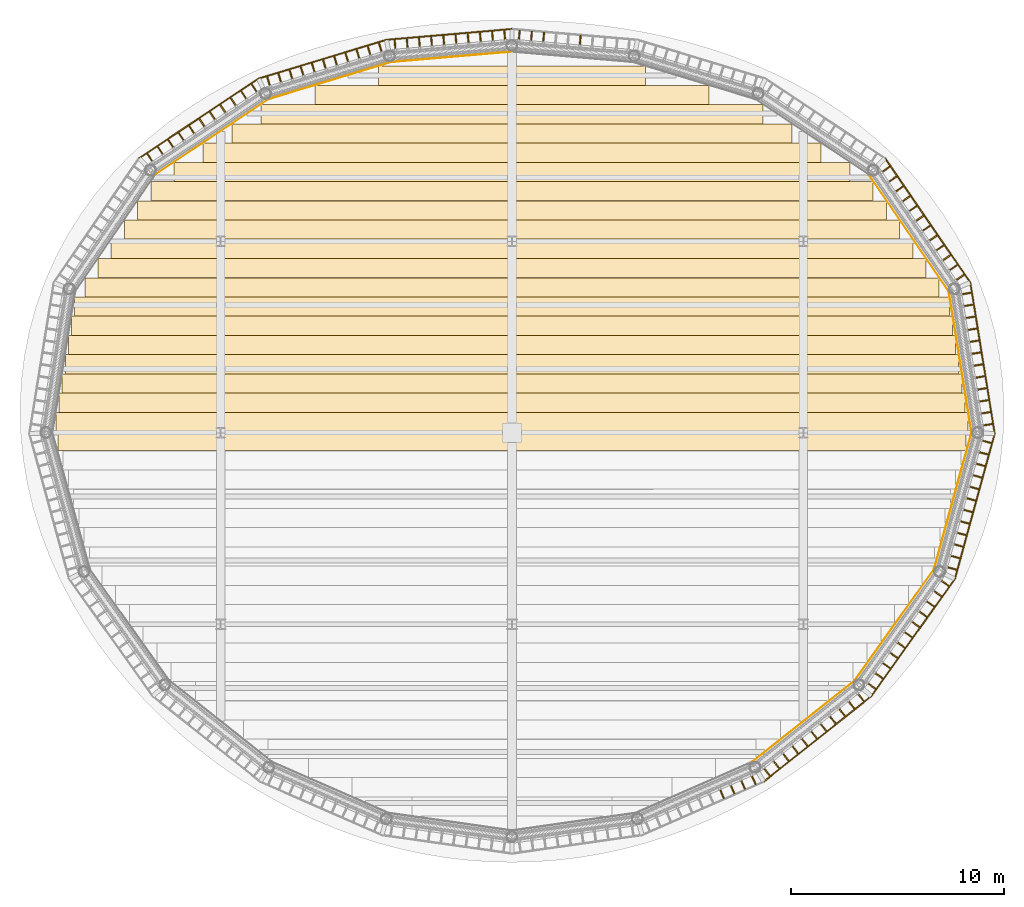
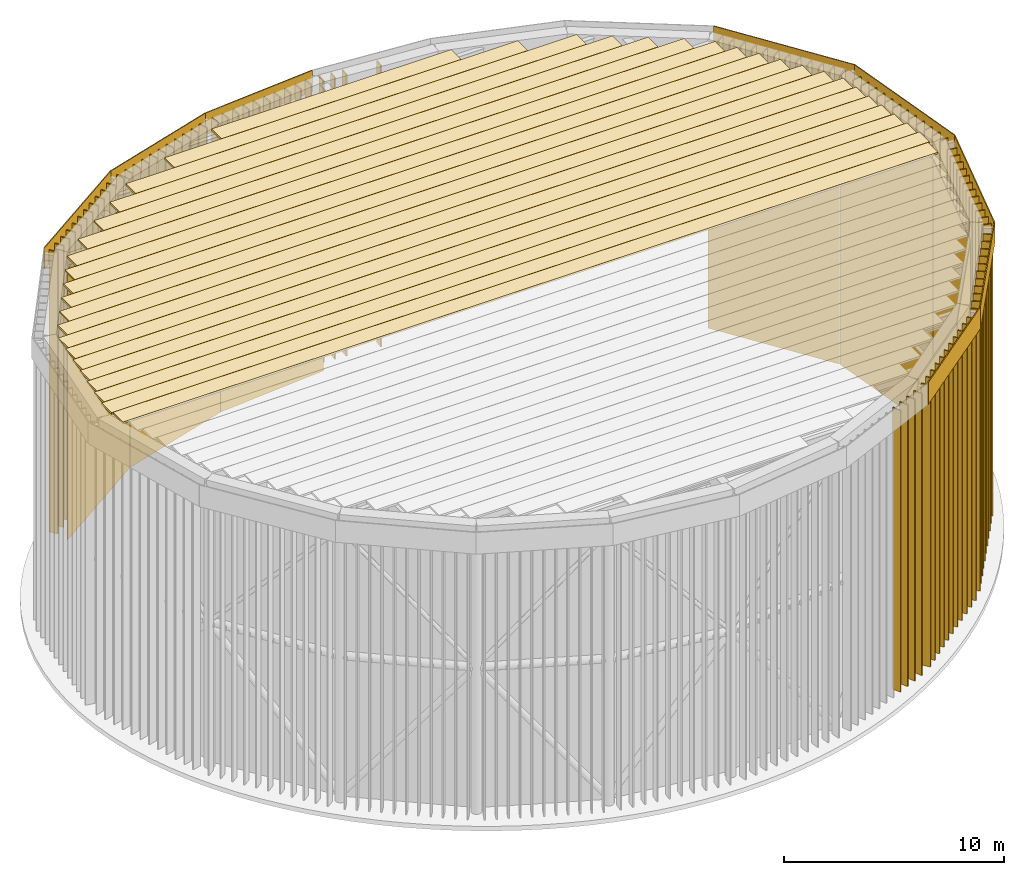
# One storey, part 10 of 11: 98 shading devices, 36 coverings.
"""IFC4 building model written with IfcOpenShell, lengths in metres."""

from ifc_helpers import new_model, si_unit, direction, frame, origin, origin_2d, place, context, subcontext, project, spatial, rectangle, extrude, material, layer, layer_set, type_object, element, save


model = new_model("IFC4")

# Units and contexts
model_context = context("Model", 3, precision=1e-05, world=origin(), true_north=direction((0.0, 1.0)))
body_context = subcontext(model_context, "Body", "Model", "MODEL_VIEW")
ifc_project = project(units=[si_unit("LENGTHUNIT", "METRE"), si_unit("AREAUNIT", "SQUARE_METRE"), si_unit("VOLUMEUNIT", "CUBIC_METRE"), si_unit("PLANEANGLEUNIT", "RADIAN"), si_unit("MASSUNIT", "GRAM", prefix="KILO")], contexts=[model_context])

# Site, building, storey
site_placement = place(None, origin())
site = spatial("IfcSite", under=ifc_project, at=site_placement, CompositionType="ELEMENT")
building_placement = place(site_placement, origin())
building = spatial("IfcBuilding", under=site, at=building_placement, Name="Marramba Exchange Tower", CompositionType="ELEMENT")
storey_placement = place(building_placement, frame((0.0, 0.0, 282.0)))
storey = spatial("IfcBuildingStorey", under=building, at=storey_placement, Name="Roof crown", CompositionType="ELEMENT", Elevation=282.0)

# Shading devices
ifc_material_1 = material(Name="Aluminium fin, bronze anodised", Category="aluminium")
ifc_layer_1 = layer(ifc_material_1, 0.06005859375)
ifc_layer_set_1 = layer_set([ifc_layer_1], Name="CROWN SCREEN FIN 450x60")
shading_device_type = type_object("IfcShadingDeviceType", Name="CROWN SCREEN FIN 450x60", PredefinedType="USERDEFINED", material=ifc_layer_set_1)
for number, where, z_axis, x_axis, name in (
    (1, (22.370361328125, 0.3798828125, 0.0), (0.0, 0.0, 1.0), (0.987215031022, 0.159394110696, 0.0), "Crown screen fin CS1 bay 01 fin 01"),
    (2, (22.280029296875, 0.940673828125, 0.0), (0.0, 0.0, 1.0), (0.987215031022, 0.159394110696, 0.0), "Crown screen fin CS1 bay 01 fin 02"),
    (3, (22.189453125, 1.50146484375, 0.0), (0.0, 0.0, 1.0), (0.987215031022, 0.159394110696, 0.0), "Crown screen fin CS1 bay 01 fin 03"),
    (4, (22.098876953125, 2.062255859375, 0.0), (0.0, 0.0, 1.0), (0.987215031022, 0.159394110696, 0.0), "Crown screen fin CS1 bay 01 fin 04"),
    (5, (22.00830078125, 2.623046875, 0.0), (0.0, 0.0, 1.0), (0.987215031022, 0.159394110696, 0.0), "Crown screen fin CS1 bay 01 fin 05"),
    (6, (21.917724609375, 3.183837890625, 0.0), (0.0, 0.0, 1.0), (0.987215031022, 0.159394110696, 0.0), "Crown screen fin CS1 bay 01 fin 06"),
    (7, (21.8271484375, 3.74462890625, 0.0), (0.0, 0.0, 1.0), (0.987215031022, 0.159394110696, 0.0), "Crown screen fin CS1 bay 01 fin 07"),
    (8, (21.736572265625, 4.305419921875, 0.0), (0.0, 0.0, 1.0), (0.987215031022, 0.159394110696, 0.0), "Crown screen fin CS1 bay 01 fin 08"),
    (9, (21.64599609375, 4.8662109375, 0.0), (0.0, 0.0, 1.0), (0.987215031022, 0.159394110696, 0.0), "Crown screen fin CS1 bay 01 fin 09"),
    (10, (21.5556640625, 5.427001953125, 0.0), (0.0, 0.0, 1.0), (0.987215031022, 0.159394110696, 0.0), "Crown screen fin CS1 bay 01 fin 10"),
    (11, (21.465087890625, 5.98779296875, 0.0), (0.0, 0.0, 1.0), (0.987215031022, 0.159394110696, 0.0), "Crown screen fin CS1 bay 01 fin 11"),
    (12, (21.37451171875, 6.548583984375, 0.0), (0.0, 0.0, 1.0), (0.987215031022, 0.159394110696, 0.0), "Crown screen fin CS1 bay 01 fin 12"),
    (13, (21.072021484375, 7.30517578125, 0.0), (0.0, 0.0, 1.0), (0.824970030492, 0.565176475793, 0.0), "Crown screen fin CS1 bay 02 fin 01"),
    (14, (20.755126953125, 7.767578125, 0.0), (0.0, 0.0, 1.0), (0.824970030492, 0.565176475793, 0.0), "Crown screen fin CS1 bay 02 fin 02"),
    (15, (20.4384765625, 8.229736328125, 0.0), (0.0, 0.0, 1.0), (0.824970030492, 0.565176475793, 0.0), "Crown screen fin CS1 bay 02 fin 03"),
    (16, (20.121826171875, 8.692138671875, 0.0), (0.0, 0.0, 1.0), (0.824970030492, 0.565176475793, 0.0), "Crown screen fin CS1 bay 02 fin 04"),
    (17, (19.80517578125, 9.154296875, 0.0), (0.0, 0.0, 1.0), (0.824970030492, 0.565176475793, 0.0), "Crown screen fin CS1 bay 02 fin 05"),
    (18, (19.488525390625, 9.616455078125, 0.0), (0.0, 0.0, 1.0), (0.824970030492, 0.565176475793, 0.0), "Crown screen fin CS1 bay 02 fin 06"),
    (19, (19.171875, 10.078857421875, 0.0), (0.0, 0.0, 1.0), (0.824970030492, 0.565176475793, 0.0), "Crown screen fin CS1 bay 02 fin 07"),
    (20, (18.855224609375, 10.541015625, 0.0), (0.0, 0.0, 1.0), (0.824970030492, 0.565176475793, 0.0), "Crown screen fin CS1 bay 02 fin 08"),
    (21, (18.538330078125, 11.00341796875, 0.0), (0.0, 0.0, 1.0), (0.824970030492, 0.565176475793, 0.0), "Crown screen fin CS1 bay 02 fin 09"),
    (22, (18.2216796875, 11.465576171875, 0.0), (0.0, 0.0, 1.0), (0.824970030492, 0.565176475793, 0.0), "Crown screen fin CS1 bay 02 fin 10"),
    (23, (17.905029296875, 11.927734375, 0.0), (0.0, 0.0, 1.0), (0.824970030492, 0.565176475793, 0.0), "Crown screen fin CS1 bay 02 fin 11"),
    (24, (17.58837890625, 12.39013671875, 0.0), (0.0, 0.0, 1.0), (0.824970030492, 0.565176475793, 0.0), "Crown screen fin CS1 bay 02 fin 12"),
    (25, (3.20849609375, 18.45458984375, 0.0), (0.0, 0.0, 1.0), (0.085783296854, 0.996313819025, 0.0), "Crown screen fin CS1 bay 05 fin 05"),
    (26, (1.48974609375, 18.602783203125, 0.0), (0.0, 0.0, 1.0), (0.085783296854, 0.996313819025, 0.0), "Crown screen fin CS1 bay 05 fin 08"),
    (27, (0.916748046875, 18.652099609375, 0.0), (0.0, 0.0, 1.0), (0.085783296854, 0.996313819025, 0.0), "Crown screen fin CS1 bay 05 fin 09"),
    (28, (0.343994140625, 18.701416015625, 0.0), (0.0, 0.0, 1.0), (0.085783296854, 0.996313819025, 0.0), "Crown screen fin CS1 bay 05 fin 10"),
    (29, (-0.343994140625, 18.701416015625, 0.0), (0.0, 0.0, 1.0), (-0.085783296854, 0.996313819025, 0.0), "Crown screen fin CS1 bay 06 fin 01"),
    (30, (-0.916748046875, 18.652099609375, 0.0), (0.0, 0.0, 1.0), (-0.085783296854, 0.996313819025, 0.0), "Crown screen fin CS1 bay 06 fin 02"),
    (31, (-1.48974609375, 18.602783203125, 0.0), (0.0, 0.0, 1.0), (-0.085783296854, 0.996313819025, 0.0), "Crown screen fin CS1 bay 06 fin 03"),
    (32, (-2.062744140625, 18.553466796875, 0.0), (0.0, 0.0, 1.0), (-0.085783296854, 0.996313819025, 0.0), "Crown screen fin CS1 bay 06 fin 04"),
    (33, (-2.635498046875, 18.50390625, 0.0), (0.0, 0.0, 1.0), (-0.085783296854, 0.996313819025, 0.0), "Crown screen fin CS1 bay 06 fin 05"),
    (34, (-3.20849609375, 18.45458984375, 0.0), (0.0, 0.0, 1.0), (-0.085783296854, 0.996313819025, 0.0), "Crown screen fin CS1 bay 06 fin 06"),
    (35, (-3.78125, 18.4052734375, 0.0), (0.0, 0.0, 1.0), (-0.085783296854, 0.996313819025, 0.0), "Crown screen fin CS1 bay 06 fin 07"),
    (36, (-4.354248046875, 18.35595703125, 0.0), (0.0, 0.0, 1.0), (-0.085783296854, 0.996313819025, 0.0), "Crown screen fin CS1 bay 06 fin 08"),
    (37, (-4.927001953125, 18.306640625, 0.0), (0.0, 0.0, 1.0), (-0.085783296854, 0.996313819025, 0.0), "Crown screen fin CS1 bay 06 fin 09"),
    (38, (-5.5, 18.25732421875, 0.0), (0.0, 0.0, 1.0), (-0.085783296854, 0.996313819025, 0.0), "Crown screen fin CS1 bay 06 fin 10"),
    (39, (-6.193359375, 18.123779296875, 0.0), (0.0, 0.0, 1.0), (-0.29035153369, 0.956920052504, 0.0), "Crown screen fin CS1 bay 07 fin 01"),
    (40, (-6.71875, 17.96435546875, 0.0), (0.0, 0.0, 1.0), (-0.29035153369, 0.956920052504, 0.0), "Crown screen fin CS1 bay 07 fin 02"),
    (41, (-7.244140625, 17.80517578125, 0.0), (0.0, 0.0, 1.0), (-0.29035153369, 0.956920052504, 0.0), "Crown screen fin CS1 bay 07 fin 03"),
    (42, (-7.769287109375, 17.645751953125, 0.0), (0.0, 0.0, 1.0), (-0.29035153369, 0.956920052504, 0.0), "Crown screen fin CS1 bay 07 fin 04"),
    (43, (-8.294677734375, 17.486328125, 0.0), (0.0, 0.0, 1.0), (-0.29035153369, 0.956920052504, 0.0), "Crown screen fin CS1 bay 07 fin 05"),
    (44, (-8.820068359375, 17.326904296875, 0.0), (0.0, 0.0, 1.0), (-0.29035153369, 0.956920052504, 0.0), "Crown screen fin CS1 bay 07 fin 06"),
    (45, (-9.345458984375, 17.16748046875, 0.0), (0.0, 0.0, 1.0), (-0.29035153369, 0.956920052504, 0.0), "Crown screen fin CS1 bay 07 fin 07"),
    (46, (-9.87060546875, 17.008056640625, 0.0), (0.0, 0.0, 1.0), (-0.29035153369, 0.956920052504, 0.0), "Crown screen fin CS1 bay 07 fin 08"),
    (47, (-10.39599609375, 16.8486328125, 0.0), (0.0, 0.0, 1.0), (-0.29035153369, 0.956920052504, 0.0), "Crown screen fin CS1 bay 07 fin 09"),
    (48, (-10.92138671875, 16.689208984375, 0.0), (0.0, 0.0, 1.0), (-0.29035153369, 0.956920052504, 0.0), "Crown screen fin CS1 bay 07 fin 10"),
    (49, (-11.44677734375, 16.52978515625, 0.0), (0.0, 0.0, 1.0), (-0.29035153369, 0.956920052504, 0.0), "Crown screen fin CS1 bay 07 fin 11"),
    (50, (-12.1220703125, 16.2109375, 0.0), (0.0, 0.0, 1.0), (-0.554341835435, 0.832289090092, 0.0), "Crown screen fin CS1 bay 08 fin 01"),
    (51, (-12.612548828125, 15.88427734375, 0.0), (0.0, 0.0, 1.0), (-0.554341835435, 0.832289090092, 0.0), "Crown screen fin CS1 bay 08 fin 02"),
    (52, (-13.10302734375, 15.5576171875, 0.0), (0.0, 0.0, 1.0), (-0.554341835435, 0.832289090092, 0.0), "Crown screen fin CS1 bay 08 fin 03"),
    (53, (-13.593505859375, 15.23095703125, 0.0), (0.0, 0.0, 1.0), (-0.554341835435, 0.832289090092, 0.0), "Crown screen fin CS1 bay 08 fin 04"),
    (54, (-14.083984375, 14.904296875, 0.0), (0.0, 0.0, 1.0), (-0.554341835435, 0.832289090092, 0.0), "Crown screen fin CS1 bay 08 fin 05"),
    (55, (-14.574462890625, 14.57763671875, 0.0), (0.0, 0.0, 1.0), (-0.554341835435, 0.832289090092, 0.0), "Crown screen fin CS1 bay 08 fin 06"),
    (56, (-15.065185546875, 14.2509765625, 0.0), (0.0, 0.0, 1.0), (-0.554341835435, 0.832289090092, 0.0), "Crown screen fin CS1 bay 08 fin 07"),
    (57, (-15.5556640625, 13.924072265625, 0.0), (0.0, 0.0, 1.0), (-0.554341835435, 0.832289090092, 0.0), "Crown screen fin CS1 bay 08 fin 08"),
    (58, (-16.046142578125, 13.597412109375, 0.0), (0.0, 0.0, 1.0), (-0.554341835435, 0.832289090092, 0.0), "Crown screen fin CS1 bay 08 fin 09"),
    (59, (-16.53662109375, 13.270751953125, 0.0), (0.0, 0.0, 1.0), (-0.554341835435, 0.832289090092, 0.0), "Crown screen fin CS1 bay 08 fin 10"),
    (60, (-17.027099609375, 12.944091796875, 0.0), (0.0, 0.0, 1.0), (-0.554341835435, 0.832289090092, 0.0), "Crown screen fin CS1 bay 08 fin 11"),
    (61, (9.8720703125, -16.989013671875, 0.0), (0.0, 0.0, 1.0), (0.401466443491, -0.915873732973, 0.0), "Crown screen fin CS1 bay 17 fin 08"),
    (62, (10.3701171875, -16.7705078125, 0.0), (0.0, 0.0, 1.0), (0.401466443491, -0.915873732973, 0.0), "Crown screen fin CS1 bay 17 fin 09"),
    (63, (10.868408203125, -16.55224609375, 0.0), (0.0, 0.0, 1.0), (0.401466443491, -0.915873732973, 0.0), "Crown screen fin CS1 bay 17 fin 10"),
    (64, (11.366455078125, -16.333984375, 0.0), (0.0, 0.0, 1.0), (0.401466443491, -0.915873732973, 0.0), "Crown screen fin CS1 bay 17 fin 11"),
    (65, (11.991943359375, -15.957275390625, 0.0), (0.0, 0.0, 1.0), (0.621844854005, -0.783140458377, 0.0), "Crown screen fin CS1 bay 18 fin 01"),
    (66, (12.433349609375, -15.606689453125, 0.0), (0.0, 0.0, 1.0), (0.621844854005, -0.783140458377, 0.0), "Crown screen fin CS1 bay 18 fin 02"),
    (67, (12.874755859375, -15.256103515625, 0.0), (0.0, 0.0, 1.0), (0.621844854005, -0.783140458377, 0.0), "Crown screen fin CS1 bay 18 fin 03"),
    (68, (13.31640625, -14.905517578125, 0.0), (0.0, 0.0, 1.0), (0.621844854005, -0.783140458377, 0.0), "Crown screen fin CS1 bay 18 fin 04"),
    (69, (13.7578125, -14.554931640625, 0.0), (0.0, 0.0, 1.0), (0.621844854005, -0.783140458377, 0.0), "Crown screen fin CS1 bay 18 fin 05"),
    (70, (14.199462890625, -14.204345703125, 0.0), (0.0, 0.0, 1.0), (0.621844854005, -0.783140458377, 0.0), "Crown screen fin CS1 bay 18 fin 06"),
    (71, (14.640869140625, -13.853759765625, 0.0), (0.0, 0.0, 1.0), (0.621844854005, -0.783140458377, 0.0), "Crown screen fin CS1 bay 18 fin 07"),
    (72, (15.082275390625, -13.503173828125, 0.0), (0.0, 0.0, 1.0), (0.621844854005, -0.783140458377, 0.0), "Crown screen fin CS1 bay 18 fin 08"),
    (73, (15.52392578125, -13.152587890625, 0.0), (0.0, 0.0, 1.0), (0.621844854005, -0.783140458377, 0.0), "Crown screen fin CS1 bay 18 fin 09"),
    (74, (15.96533203125, -12.802001953125, 0.0), (0.0, 0.0, 1.0), (0.621844854005, -0.783140458377, 0.0), "Crown screen fin CS1 bay 18 fin 10"),
    (75, (16.406982421875, -12.451416015625, 0.0), (0.0, 0.0, 1.0), (0.621844854005, -0.783140458377, 0.0), "Crown screen fin CS1 bay 18 fin 11"),
    (76, (16.9169921875, -11.914306640625, 0.0), (0.0, 0.0, 1.0), (0.814160242484, -0.580640249688, 0.0), "Crown screen fin CS1 bay 19 fin 01"),
    (77, (17.261474609375, -11.43115234375, 0.0), (0.0, 0.0, 1.0), (0.814160242484, -0.580640249688, 0.0), "Crown screen fin CS1 bay 19 fin 02"),
    (78, (17.606201171875, -10.947998046875, 0.0), (0.0, 0.0, 1.0), (0.814160242484, -0.580640249688, 0.0), "Crown screen fin CS1 bay 19 fin 03"),
    (79, (17.95068359375, -10.465087890625, 0.0), (0.0, 0.0, 1.0), (0.814160242484, -0.580640249688, 0.0), "Crown screen fin CS1 bay 19 fin 04"),
    (80, (18.295166015625, -9.98193359375, 0.0), (0.0, 0.0, 1.0), (0.814160242484, -0.580640249688, 0.0), "Crown screen fin CS1 bay 19 fin 05"),
    (81, (18.639892578125, -9.498779296875, 0.0), (0.0, 0.0, 1.0), (0.814160242484, -0.580640249688, 0.0), "Crown screen fin CS1 bay 19 fin 06"),
    (82, (18.984375, -9.015625, 0.0), (0.0, 0.0, 1.0), (0.814160242484, -0.580640249688, 0.0), "Crown screen fin CS1 bay 19 fin 07"),
    (83, (19.328857421875, -8.532470703125, 0.0), (0.0, 0.0, 1.0), (0.814160242484, -0.580640249688, 0.0), "Crown screen fin CS1 bay 19 fin 08"),
    (84, (19.673583984375, -8.04931640625, 0.0), (0.0, 0.0, 1.0), (0.814160242484, -0.580640249688, 0.0), "Crown screen fin CS1 bay 19 fin 09"),
    (85, (20.01806640625, -7.566162109375, 0.0), (0.0, 0.0, 1.0), (0.814160242484, -0.580640249688, 0.0), "Crown screen fin CS1 bay 19 fin 10"),
    (86, (20.362548828125, -7.0830078125, 0.0), (0.0, 0.0, 1.0), (0.814160242484, -0.580640249688, 0.0), "Crown screen fin CS1 bay 19 fin 11"),
    (87, (20.695068359375, -6.38330078125, 0.0), (0.0, 0.0, 1.0), (0.964439311861, -0.264304395987, 0.0), "Crown screen fin CS1 bay 20 fin 01"),
    (88, (20.84326171875, -5.842041015625, 0.0), (0.0, 0.0, 1.0), (0.964439311861, -0.264304395987, 0.0), "Crown screen fin CS1 bay 20 fin 02"),
    (89, (20.99169921875, -5.300537109375, 0.0), (0.0, 0.0, 1.0), (0.964439311861, -0.264304395987, 0.0), "Crown screen fin CS1 bay 20 fin 03"),
    (90, (21.14013671875, -4.75927734375, 0.0), (0.0, 0.0, 1.0), (0.964439311861, -0.264304395987, 0.0), "Crown screen fin CS1 bay 20 fin 04"),
    (91, (21.28857421875, -4.2177734375, 0.0), (0.0, 0.0, 1.0), (0.964439311861, -0.264304395987, 0.0), "Crown screen fin CS1 bay 20 fin 05"),
    (92, (21.436767578125, -3.676513671875, 0.0), (0.0, 0.0, 1.0), (0.964439311861, -0.264304395987, 0.0), "Crown screen fin CS1 bay 20 fin 06"),
    (93, (21.585205078125, -3.135009765625, 0.0), (0.0, 0.0, 1.0), (0.964439311861, -0.264304395987, 0.0), "Crown screen fin CS1 bay 20 fin 07"),
    (94, (21.733642578125, -2.59375, 0.0), (0.0, 0.0, 1.0), (0.964439311861, -0.264304395987, 0.0), "Crown screen fin CS1 bay 20 fin 08"),
    (95, (21.8818359375, -2.05224609375, 0.0), (0.0, 0.0, 1.0), (0.964439311861, -0.264304395987, 0.0), "Crown screen fin CS1 bay 20 fin 09"),
    (96, (22.0302734375, -1.510986328125, 0.0), (0.0, 0.0, 1.0), (0.964439311861, -0.264304395987, 0.0), "Crown screen fin CS1 bay 20 fin 10"),
    (97, (22.1787109375, -0.969482421875, 0.0), (0.0, 0.0, 1.0), (0.964439311861, -0.264304395987, 0.0), "Crown screen fin CS1 bay 20 fin 11"),
    (98, (22.3271484375, -0.427978515625, 0.0), (0.0, 0.0, 1.0), (0.964439311861, -0.264304395987, 0.0), "Crown screen fin CS1 bay 20 fin 12"),
):
    element("IfcShadingDevice", number, at=place(storey_placement, frame(where, z_axis=z_axis, x_axis=x_axis)), inside=storey, type_object=shading_device_type, Name=name, ObjectType="FIN", PredefinedType="USERDEFINED", context=body_context, shape_type="SweptSolid", body=[
        extrude(rectangle(XDim=0.449951171875, YDim=0.06005859375, at=origin_2d()), origin(), (0.0, 0.0, 1.0), 15.60009765625),
    ])

# Coverings
ifc_material_2 = material(Name="Stainless steel woven mesh, bronze finish", Category="steel")
ifc_layer_2 = layer(ifc_material_2, 0.02001953125)
ifc_layer_set_2 = layer_set([ifc_layer_2], Name="CROWN SCREEN MESH")
covering_type_1 = type_object("IfcCoveringType", Name="CROWN SCREEN MESH", PredefinedType="USERDEFINED", material=ifc_layer_set_2)
covering_1_placement = place(storey_placement, frame((21.068115234375, 3.333251953125, 0.0), z_axis=(0.0, 0.0, 1.0), x_axis=(-0.159394110696, 0.987215031022, 0.0)))
element("IfcCovering", 99, at=covering_1_placement, inside=storey, type_object=covering_type_1, Name="Crown screen mesh CM1 bay 01", ObjectType="SCREEN", PredefinedType="USERDEFINED", context=body_context, shape_type="SweptSolid", body=[
    extrude(rectangle(XDim=6.70068359375, YDim=0.02001953125, at=origin_2d()), origin(), (0.0, 0.0, 1.0), 15.0),
])
covering_2_placement = place(storey_placement, frame((18.6552734375, 9.390625, 0.0), z_axis=(0.0, 0.0, 1.0), x_axis=(-0.565176475793, 0.824970030492, 0.0)))
element("IfcCovering", 100, at=covering_2_placement, inside=storey, type_object=covering_type_1, Name="Crown screen mesh CM1 bay 02", ObjectType="SCREEN", PredefinedType="USERDEFINED", context=body_context, shape_type="SweptSolid", body=[
    extrude(rectangle(XDim=6.62255859375, YDim=0.02001953125, at=origin_2d()), origin(), (0.0, 0.0, 1.0), 15.0),
])
covering_3_placement = place(storey_placement, frame((-2.849365234375, 17.66748046875, 0.0), z_axis=(0.0, 0.0, 1.0), x_axis=(-0.996313819025, -0.085783296854, 0.0)))
element("IfcCovering", 101, at=covering_3_placement, inside=storey, type_object=covering_type_1, Name="Crown screen mesh CM1 bay 06", ObjectType="SCREEN", PredefinedType="USERDEFINED", context=body_context, shape_type="SweptSolid", body=[
    extrude(rectangle(XDim=5.69970703125, YDim=0.02001953125, at=origin_2d()), origin(), (0.0, 0.0, 1.0), 15.0),
])
covering_4_placement = place(storey_placement, frame((-8.577392578125, 16.548828125, 0.0), z_axis=(0.0, 0.0, 1.0), x_axis=(-0.956920052504, -0.29035153369, 0.0)))
element("IfcCovering", 102, at=covering_4_placement, inside=storey, type_object=covering_type_1, Name="Crown screen mesh CM1 bay 07", ObjectType="SCREEN", PredefinedType="USERDEFINED", context=body_context, shape_type="SweptSolid", body=[
    extrude(rectangle(XDim=5.99658203125, YDim=0.02001953125, at=origin_2d()), origin(), (0.0, 0.0, 1.0), 15.0),
])
covering_5_placement = place(storey_placement, frame((-14.1171875, 13.903076171875, 0.0), z_axis=(0.0, 0.0, 1.0), x_axis=(-0.832289090092, -0.554341835435, 0.0)))
element("IfcCovering", 103, at=covering_5_placement, inside=storey, type_object=covering_type_1, Name="Crown screen mesh CM1 bay 08", ObjectType="SCREEN", PredefinedType="USERDEFINED", context=body_context, shape_type="SweptSolid", body=[
    extrude(rectangle(XDim=6.37451171875, YDim=0.02001953125, at=origin_2d()), origin(), (0.0, 0.0, 1.0), 15.0),
])
covering_6_placement = place(storey_placement, frame((13.691162109375, -13.567138671875, 0.0), z_axis=(0.0, 0.0, 1.0), x_axis=(0.783140458377, 0.621844854005, 0.0)))
element("IfcCovering", 104, at=covering_6_placement, inside=storey, type_object=covering_type_1, Name="Crown screen mesh CM1 bay 18", ObjectType="SCREEN", PredefinedType="USERDEFINED", context=body_context, shape_type="SweptSolid", body=[
    extrude(rectangle(XDim=6.13916015625, YDim=0.02001953125, at=origin_2d()), origin(), (0.0, 0.0, 1.0), 15.0),
])
covering_7_placement = place(storey_placement, frame((17.97314453125, -9.02978515625, 0.0), z_axis=(0.0, 0.0, 1.0), x_axis=(0.580640249688, 0.814160242484, 0.0)))
element("IfcCovering", 105, at=covering_7_placement, inside=storey, type_object=covering_type_1, Name="Crown screen mesh CM1 bay 19", ObjectType="SCREEN", PredefinedType="USERDEFINED", context=body_context, shape_type="SweptSolid", body=[
    extrude(rectangle(XDim=6.421630859375, YDim=0.02001953125, at=origin_2d()), origin(), (0.0, 0.0, 1.0), 15.0),
])
covering_8_placement = place(storey_placement, frame((20.723388671875, -3.19580078125, 0.0), z_axis=(0.0, 0.0, 1.0), x_axis=(0.264304395987, 0.964439311861, 0.0)))
element("IfcCovering", 106, at=covering_8_placement, inside=storey, type_object=covering_type_1, Name="Crown screen mesh CM1 bay 20", ObjectType="SCREEN", PredefinedType="USERDEFINED", context=body_context, shape_type="SweptSolid", body=[
    extrude(rectangle(XDim=6.640380859375, YDim=0.02001953125, at=origin_2d()), origin(), (0.0, 0.0, 1.0), 15.0),
])
ifc_material_3 = material(Name="Aluminium plate panel, bronze anodised", Category="aluminium")
ifc_layer_3 = layer(ifc_material_3, 0.050048828125)
ifc_layer_set_3 = layer_set([ifc_layer_3], Name="Crown cap panel 1200")
covering_type_2 = type_object("IfcCoveringType", Name="Crown cap panel 1200", PredefinedType="CLADDING", material=ifc_layer_set_3)
covering_9_placement = place(storey_placement, frame((22.118896484375, 3.506591796875, 14.7998046875), z_axis=(0.0, 0.0, 1.0), x_axis=(-0.159394110696, 0.987215031022, 0.0)))
element("IfcCovering", 107, at=covering_9_placement, inside=storey, type_object=covering_type_2, Name="Crown cap panel CP1 bay 01", PredefinedType="CLADDING", context=body_context, shape_type="SweptSolid", body=[
    extrude(rectangle(XDim=7.1904296875, YDim=0.050048828125, at=origin_2d()), origin(), (0.0, 0.0, 1.0), 1.199951171875),
])
covering_10_placement = place(storey_placement, frame((19.54296875, 9.979248046875, 14.7998046875), z_axis=(0.0, 0.0, 1.0), x_axis=(-0.565176475793, 0.824970030492, 0.0)))
element("IfcCovering", 108, at=covering_10_placement, inside=storey, type_object=covering_type_2, Name="Crown cap panel CP1 bay 02", PredefinedType="CLADDING", context=body_context, shape_type="SweptSolid", body=[
    extrude(rectangle(XDim=7.087158203125, YDim=0.050048828125, at=origin_2d()), origin(), (0.0, 0.0, 1.0), 1.199951171875),
])
covering_11_placement = place(storey_placement, frame((-2.95068359375, 18.727783203125, 14.7998046875), z_axis=(0.0, 0.0, 1.0), x_axis=(-0.996313819025, -0.085783296854, 0.0)))
element("IfcCovering", 109, at=covering_11_placement, inside=storey, type_object=covering_type_2, Name="Crown cap panel CP1 bay 06", PredefinedType="CLADDING", context=body_context, shape_type="SweptSolid", body=[
    extrude(rectangle(XDim=5.923095703125, YDim=0.050048828125, at=origin_2d()), origin(), (0.0, 0.0, 1.0), 1.199951171875),
])
covering_12_placement = place(storey_placement, frame((-8.908447265625, 17.561279296875, 14.7998046875), z_axis=(0.0, 0.0, 1.0), x_axis=(-0.956920052504, -0.29035153369, 0.0)))
element("IfcCovering", 110, at=covering_12_placement, inside=storey, type_object=covering_type_2, Name="Crown cap panel CP1 bay 07", PredefinedType="CLADDING", context=body_context, shape_type="SweptSolid", body=[
    extrude(rectangle(XDim=6.285400390625, YDim=0.050048828125, at=origin_2d()), origin(), (0.0, 0.0, 1.0), 1.199951171875),
])
covering_13_placement = place(storey_placement, frame((-14.72802734375, 14.775634765625, 14.7998046875), z_axis=(0.0, 0.0, 1.0), x_axis=(-0.832289090092, -0.554341835435, 0.0)))
element("IfcCovering", 111, at=covering_13_placement, inside=storey, type_object=covering_type_2, Name="Crown cap panel CP1 bay 08", PredefinedType="CLADDING", context=body_context, shape_type="SweptSolid", body=[
    extrude(rectangle(XDim=6.7578125, YDim=0.050048828125, at=origin_2d()), origin(), (0.0, 0.0, 1.0), 1.199951171875),
])
covering_14_placement = place(storey_placement, frame((14.358154296875, -14.3974609375, 14.7998046875), z_axis=(0.0, 0.0, 1.0), x_axis=(0.783140458377, 0.621844854005, 0.0)))
element("IfcCovering", 112, at=covering_14_placement, inside=storey, type_object=covering_type_2, Name="Crown cap panel CP1 bay 18", PredefinedType="CLADDING", context=body_context, shape_type="SweptSolid", body=[
    extrude(rectangle(XDim=6.447509765625, YDim=0.050048828125, at=origin_2d()), origin(), (0.0, 0.0, 1.0), 1.199951171875),
])
covering_15_placement = place(storey_placement, frame((18.8515625, -9.63232421875, 14.7998046875), z_axis=(0.0, 0.0, 1.0), x_axis=(0.580640249688, 0.814160242484, 0.0)))
element("IfcCovering", 113, at=covering_15_placement, inside=storey, type_object=covering_type_2, Name="Crown cap panel CP1 bay 19", PredefinedType="CLADDING", context=body_context, shape_type="SweptSolid", body=[
    extrude(rectangle(XDim=6.78125, YDim=0.050048828125, at=origin_2d()), origin(), (0.0, 0.0, 1.0), 1.199951171875),
])
covering_16_placement = place(storey_placement, frame((21.756103515625, -3.45703125, 14.7998046875), z_axis=(0.0, 0.0, 1.0), x_axis=(0.264304395987, 0.964439311861, 0.0)))
element("IfcCovering", 114, at=covering_16_placement, inside=storey, type_object=covering_type_2, Name="Crown cap panel CP1 bay 20", PredefinedType="CLADDING", context=body_context, shape_type="SweptSolid", body=[
    extrude(rectangle(XDim=7.0810546875, YDim=0.050048828125, at=origin_2d()), origin(), (0.0, 0.0, 1.0), 1.199951171875),
])
ifc_material_4 = material(Name="Aluminium louvre grille, bronze anodised", Category="aluminium")
ifc_layer_4 = layer(ifc_material_4, 0.10009765625)
ifc_layer_set_4 = layer_set([ifc_layer_4], Name="Crown top louvre grille 100")
covering_type_3 = type_object("IfcCoveringType", Name="Crown top louvre grille 100", PredefinedType="CLADDING", material=ifc_layer_set_4)
covering_17_placement = place(storey_placement, frame((0.0, -0.39501953125, 15.89990234375), z_axis=(0.0, 0.0, 1.0), x_axis=(1.0, 0.0, 0.0)))
element("IfcCovering", 115, at=covering_17_placement, inside=storey, type_object=covering_type_3, Name="Crown top louvre grille CG1 20", PredefinedType="CLADDING", context=body_context, shape_type="SweptSolid", body=[
    extrude(rectangle(XDim=42.704345703125, YDim=0.89990234375, at=origin_2d()), origin(), (0.0, 0.0, 1.0), 0.10009765625),
])
covering_18_placement = place(storey_placement, frame((0.0, 0.509033203125, 15.89990234375), z_axis=(0.0, 0.0, 1.0), x_axis=(1.0, 0.0, 0.0)))
element("IfcCovering", 116, at=covering_18_placement, inside=storey, type_object=covering_type_3, Name="Crown top louvre grille CG1 21", PredefinedType="CLADDING", context=body_context, shape_type="SweptSolid", body=[
    extrude(rectangle(XDim=42.872314453125, YDim=0.89990234375, at=origin_2d()), origin(), (0.0, 0.0, 1.0), 0.10009765625),
])
covering_19_placement = place(storey_placement, frame((0.0, 1.4130859375, 15.89990234375), z_axis=(0.0, 0.0, 1.0), x_axis=(1.0, 0.0, 0.0)))
element("IfcCovering", 117, at=covering_19_placement, inside=storey, type_object=covering_type_3, Name="Crown top louvre grille CG1 22", PredefinedType="CLADDING", context=body_context, shape_type="SweptSolid", body=[
    extrude(rectangle(XDim=42.58056640625, YDim=0.89990234375, at=origin_2d()), origin(), (0.0, 0.0, 1.0), 0.10009765625),
])
covering_20_placement = place(storey_placement, frame((0.0, 2.31689453125, 15.89990234375), z_axis=(0.0, 0.0, 1.0), x_axis=(1.0, 0.0, 0.0)))
element("IfcCovering", 118, at=covering_20_placement, inside=storey, type_object=covering_type_3, Name="Crown top louvre grille CG1 23", PredefinedType="CLADDING", context=body_context, shape_type="SweptSolid", body=[
    extrude(rectangle(XDim=42.28857421875, YDim=0.89990234375, at=origin_2d()), origin(), (0.0, 0.0, 1.0), 0.10009765625),
])
covering_21_placement = place(storey_placement, frame((0.0, 3.220947265625, 15.89990234375), z_axis=(0.0, 0.0, 1.0), x_axis=(1.0, 0.0, 0.0)))
element("IfcCovering", 119, at=covering_21_placement, inside=storey, type_object=covering_type_3, Name="Crown top louvre grille CG1 24", PredefinedType="CLADDING", context=body_context, shape_type="SweptSolid", body=[
    extrude(rectangle(XDim=41.99658203125, YDim=0.89990234375, at=origin_2d()), origin(), (0.0, 0.0, 1.0), 0.10009765625),
])
covering_22_placement = place(storey_placement, frame((0.0, 4.125, 15.89990234375), z_axis=(0.0, 0.0, 1.0), x_axis=(1.0, 0.0, 0.0)))
element("IfcCovering", 120, at=covering_22_placement, inside=storey, type_object=covering_type_3, Name="Crown top louvre grille CG1 25", PredefinedType="CLADDING", context=body_context, shape_type="SweptSolid", body=[
    extrude(rectangle(XDim=41.704833984375, YDim=0.89990234375, at=origin_2d()), origin(), (0.0, 0.0, 1.0), 0.10009765625),
])
covering_23_placement = place(storey_placement, frame((0.0, 5.029052734375, 15.89990234375), z_axis=(0.0, 0.0, 1.0), x_axis=(1.0, 0.0, 0.0)))
element("IfcCovering", 121, at=covering_23_placement, inside=storey, type_object=covering_type_3, Name="Crown top louvre grille CG1 26", PredefinedType="CLADDING", context=body_context, shape_type="SweptSolid", body=[
    extrude(rectangle(XDim=41.412841796875, YDim=0.89990234375, at=origin_2d()), origin(), (0.0, 0.0, 1.0), 0.10009765625),
])
covering_24_placement = place(storey_placement, frame((0.0, 5.932861328125, 15.89990234375), z_axis=(0.0, 0.0, 1.0), x_axis=(1.0, 0.0, 0.0)))
element("IfcCovering", 122, at=covering_24_placement, inside=storey, type_object=covering_type_3, Name="Crown top louvre grille CG1 27", PredefinedType="CLADDING", context=body_context, shape_type="SweptSolid", body=[
    extrude(rectangle(XDim=41.120849609375, YDim=0.89990234375, at=origin_2d()), origin(), (0.0, 0.0, 1.0), 0.10009765625),
])
covering_25_placement = place(storey_placement, frame((0.0, 6.8369140625, 15.89990234375), z_axis=(0.0, 0.0, 1.0), x_axis=(1.0, 0.0, 0.0)))
element("IfcCovering", 123, at=covering_25_placement, inside=storey, type_object=covering_type_3, Name="Crown top louvre grille CG1 28", PredefinedType="CLADDING", context=body_context, shape_type="SweptSolid", body=[
    extrude(rectangle(XDim=40.15673828125, YDim=0.89990234375, at=origin_2d()), origin(), (0.0, 0.0, 1.0), 0.10009765625),
])
covering_26_placement = place(storey_placement, frame((0.0, 7.740966796875, 15.89990234375), z_axis=(0.0, 0.0, 1.0), x_axis=(1.0, 0.0, 0.0)))
element("IfcCovering", 124, at=covering_26_placement, inside=storey, type_object=covering_type_3, Name="Crown top louvre grille CG1 29", PredefinedType="CLADDING", context=body_context, shape_type="SweptSolid", body=[
    extrude(rectangle(XDim=38.91796875, YDim=0.89990234375, at=origin_2d()), origin(), (0.0, 0.0, 1.0), 0.10009765625),
])
covering_27_placement = place(storey_placement, frame((0.0, 8.64501953125, 15.89990234375), z_axis=(0.0, 0.0, 1.0), x_axis=(1.0, 0.0, 0.0)))
element("IfcCovering", 125, at=covering_27_placement, inside=storey, type_object=covering_type_3, Name="Crown top louvre grille CG1 30", PredefinedType="CLADDING", context=body_context, shape_type="SweptSolid", body=[
    extrude(rectangle(XDim=37.679443359375, YDim=0.89990234375, at=origin_2d()), origin(), (0.0, 0.0, 1.0), 0.10009765625),
])
covering_28_placement = place(storey_placement, frame((0.0, 9.549072265625, 15.89990234375), z_axis=(0.0, 0.0, 1.0), x_axis=(1.0, 0.0, 0.0)))
element("IfcCovering", 126, at=covering_28_placement, inside=storey, type_object=covering_type_3, Name="Crown top louvre grille CG1 31", PredefinedType="CLADDING", context=body_context, shape_type="SweptSolid", body=[
    extrude(rectangle(XDim=36.44091796875, YDim=0.89990234375, at=origin_2d()), origin(), (0.0, 0.0, 1.0), 0.10009765625),
])
covering_29_placement = place(storey_placement, frame((0.0, 10.452880859375, 15.89990234375), z_axis=(0.0, 0.0, 1.0), x_axis=(1.0, 0.0, 0.0)))
element("IfcCovering", 127, at=covering_29_placement, inside=storey, type_object=covering_type_3, Name="Crown top louvre grille CG1 32", PredefinedType="CLADDING", context=body_context, shape_type="SweptSolid", body=[
    extrude(rectangle(XDim=35.2021484375, YDim=0.89990234375, at=origin_2d()), origin(), (0.0, 0.0, 1.0), 0.10009765625),
])
covering_30_placement = place(storey_placement, frame((0.0, 11.35693359375, 15.89990234375), z_axis=(0.0, 0.0, 1.0), x_axis=(1.0, 0.0, 0.0)))
element("IfcCovering", 128, at=covering_30_placement, inside=storey, type_object=covering_type_3, Name="Crown top louvre grille CG1 33", PredefinedType="CLADDING", context=body_context, shape_type="SweptSolid", body=[
    extrude(rectangle(XDim=33.963623046875, YDim=0.89990234375, at=origin_2d()), origin(), (0.0, 0.0, 1.0), 0.10009765625),
])
covering_31_placement = place(storey_placement, frame((0.0, 12.260986328125, 15.89990234375), z_axis=(0.0, 0.0, 1.0), x_axis=(1.0, 0.0, 0.0)))
element("IfcCovering", 129, at=covering_31_placement, inside=storey, type_object=covering_type_3, Name="Crown top louvre grille CG1 34", PredefinedType="CLADDING", context=body_context, shape_type="SweptSolid", body=[
    extrude(rectangle(XDim=31.759521484375, YDim=0.89990234375, at=origin_2d()), origin(), (0.0, 0.0, 1.0), 0.10009765625),
])
covering_32_placement = place(storey_placement, frame((0.0, 13.1650390625, 15.89990234375), z_axis=(0.0, 0.0, 1.0), x_axis=(1.0, 0.0, 0.0)))
element("IfcCovering", 130, at=covering_32_placement, inside=storey, type_object=covering_type_3, Name="Crown top louvre grille CG1 35", PredefinedType="CLADDING", context=body_context, shape_type="SweptSolid", body=[
    extrude(rectangle(XDim=29.045166015625, YDim=0.89990234375, at=origin_2d()), origin(), (0.0, 0.0, 1.0), 0.10009765625),
])
covering_33_placement = place(storey_placement, frame((0.0, 14.069091796875, 15.89990234375), z_axis=(0.0, 0.0, 1.0), x_axis=(1.0, 0.0, 0.0)))
element("IfcCovering", 131, at=covering_33_placement, inside=storey, type_object=covering_type_3, Name="Crown top louvre grille CG1 36", PredefinedType="CLADDING", context=body_context, shape_type="SweptSolid", body=[
    extrude(rectangle(XDim=26.33056640625, YDim=0.89990234375, at=origin_2d()), origin(), (0.0, 0.0, 1.0), 0.10009765625),
])
covering_34_placement = place(storey_placement, frame((0.0, 14.972900390625, 15.89990234375), z_axis=(0.0, 0.0, 1.0), x_axis=(1.0, 0.0, 0.0)))
element("IfcCovering", 132, at=covering_34_placement, inside=storey, type_object=covering_type_3, Name="Crown top louvre grille CG1 37", PredefinedType="CLADDING", context=body_context, shape_type="SweptSolid", body=[
    extrude(rectangle(XDim=23.615966796875, YDim=0.89990234375, at=origin_2d()), origin(), (0.0, 0.0, 1.0), 0.10009765625),
])
covering_35_placement = place(storey_placement, frame((0.0, 15.876953125, 15.89990234375), z_axis=(0.0, 0.0, 1.0), x_axis=(1.0, 0.0, 0.0)))
element("IfcCovering", 133, at=covering_35_placement, inside=storey, type_object=covering_type_3, Name="Crown top louvre grille CG1 38", PredefinedType="CLADDING", context=body_context, shape_type="SweptSolid", body=[
    extrude(rectangle(XDim=18.513671875, YDim=0.89990234375, at=origin_2d()), origin(), (0.0, 0.0, 1.0), 0.10009765625),
])
covering_36_placement = place(storey_placement, frame((0.0, 16.781005859375, 15.89990234375), z_axis=(0.0, 0.0, 1.0), x_axis=(1.0, 0.0, 0.0)))
element("IfcCovering", 134, at=covering_36_placement, inside=storey, type_object=covering_type_3, Name="Crown top louvre grille CG1 39", PredefinedType="CLADDING", context=body_context, shape_type="SweptSolid", body=[
    extrude(rectangle(XDim=12.554931640625, YDim=0.89990234375, at=origin_2d()), origin(), (0.0, 0.0, 1.0), 0.10009765625),
])

save(model, "model.ifc")
